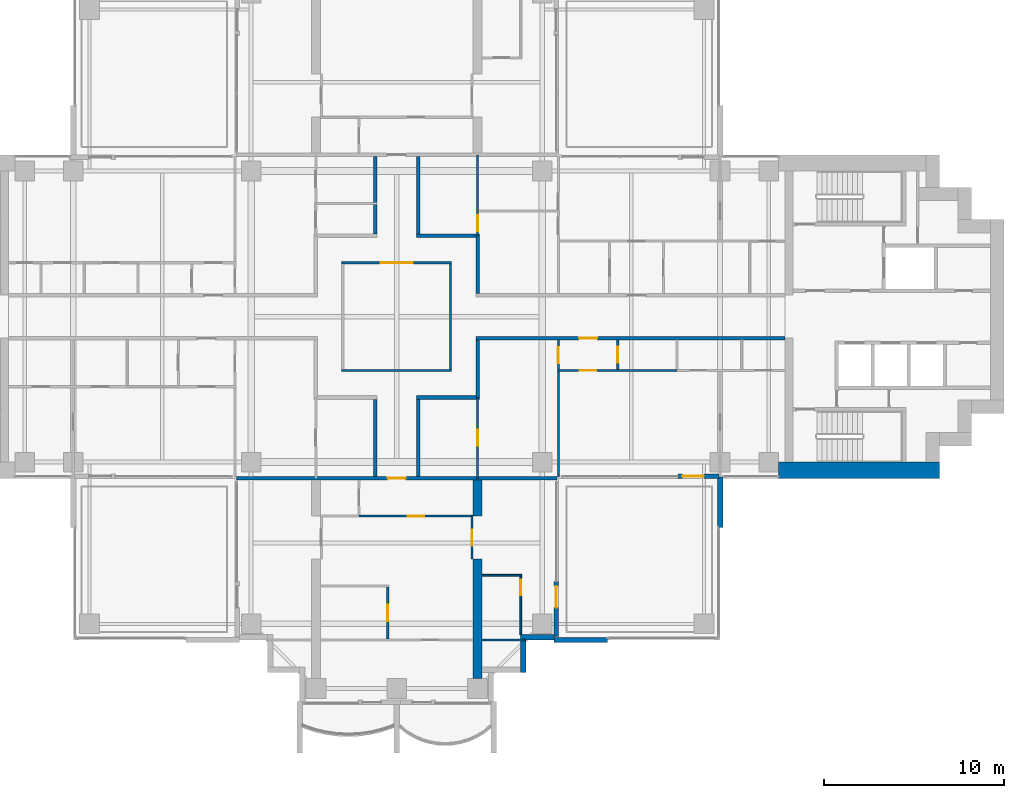
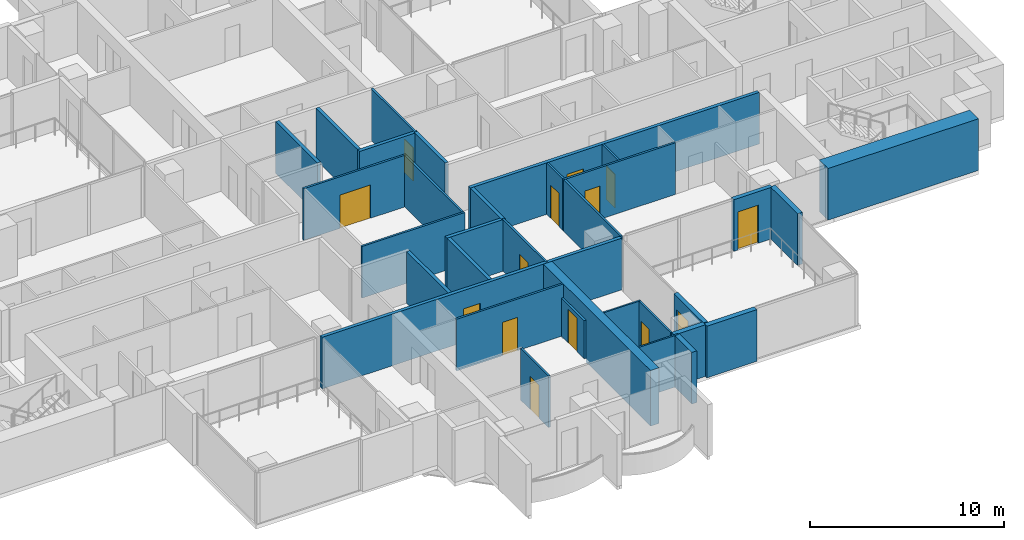
# One storey, part 11 of 18: 32 walls, 14 doors, 14 openings.
"""IFC4 building model written with IfcOpenShell, lengths in metres."""

from ifc_helpers import new_model, si_unit, direction, frame, frame_2d, origin, place, context, subcontext, project, spatial, polyline, rectangle, outline, extrude, material, layer, layer_set, material_profile, profile_set, type_object, element, fill, save


model = new_model("IFC4")

# Units and contexts
model_context = context("Model", 3, precision=1e-05, world=origin(), true_north=direction((0.0, 1.0)))
body_context = subcontext(model_context, "Body", "Model", "MODEL_VIEW")
ifc_project = project(units=[si_unit("LENGTHUNIT", "METRE"), si_unit("AREAUNIT", "SQUARE_METRE"), si_unit("VOLUMEUNIT", "CUBIC_METRE"), si_unit("PLANEANGLEUNIT", "RADIAN"), si_unit("MASSUNIT", "GRAM", prefix="KILO")], contexts=[model_context])

# Site, building, storey
site_placement = place(None, origin())
site = spatial("IfcSite", under=ifc_project, at=site_placement, CompositionType="ELEMENT")
building_placement = place(site_placement, origin())
building = spatial("IfcBuilding", under=site, at=building_placement, Name="Perihelion Cross Residences", CompositionType="ELEMENT")
storey_placement = place(building_placement, frame((0.0, 0.0, 130.39990234375)))
storey = spatial("IfcBuildingStorey", under=building, at=storey_placement, Name="L31", CompositionType="ELEMENT", Elevation=130.39990234375)

# Walls
ifc_material_1 = material(Name="Plasterboard partition")
ifc_layer_1 = layer(ifc_material_1, 0.199951171875)
ifc_layer_set_1 = layer_set([ifc_layer_1], Name="Apartment separation wall 200")
wall_type_1 = type_object("IfcWallType", Name="Apartment separation wall 200", PredefinedType="PARTITIONING", material=ifc_layer_set_1)
wall_1_placement = place(storey_placement, frame((4.5, 4.5, 0.0), z_axis=(0.0, 0.0, 1.0), x_axis=(0.0, -1.0, 0.0)))
element("IfcWall", 1, at=wall_1_placement, inside=storey, type_object=wall_type_1, Name="Partition L31 W006", PredefinedType="PARTITIONING", context=body_context, shape_type="SweptSolid", body=[
    extrude(rectangle(XDim=3.199951171875, YDim=0.199951171875, at=frame_2d((1.60009765625, 0.0))), origin(), (0.0, 0.0, 1.0), 3.25),
])
wall_2_placement = place(storey_placement, frame((1.199951171875, 8.89990234375, 0.0), z_axis=(0.0, 0.0, 1.0), x_axis=(0.0, -1.0, 0.0)))
element("IfcWall", 2, at=wall_2_placement, inside=storey, type_object=wall_type_1, Name="Partition L31 W007", PredefinedType="PARTITIONING", context=body_context, shape_type="SweptSolid", body=[
    extrude(rectangle(XDim=4.2998046875, YDim=0.199951171875, at=frame_2d((2.14990234375, 0.0))), origin(), (0.0, 0.0, 1.0), 3.25),
])
wall_3_placement = place(storey_placement, frame((1.10009765625, 4.5, 0.0), z_axis=(0.0, 0.0, 1.0), x_axis=(1.0, 0.0, 0.0)))
element("IfcWall", 3, at=wall_3_placement, inside=storey, type_object=wall_type_1, Name="Partition L31 W008", PredefinedType="PARTITIONING", context=body_context, shape_type="SweptSolid", body=[
    extrude(rectangle(XDim=3.5, YDim=0.199951171875, at=frame_2d((1.75, 0.0))), origin(), (0.0, 0.0, 1.0), 3.25),
])

# Wall, opening, door
wall_4_placement = place(storey_placement, frame((21.60009765625, -1.199951171875, 0.0), z_axis=(0.0, 0.0, 1.0), x_axis=(-1.0, 0.0, 0.0)))
wall_4 = element("IfcWall", 4, at=wall_4_placement, inside=storey, type_object=wall_type_1, Name="Partition L31 W009", PredefinedType="PARTITIONING", context=body_context, shape_type="SweptSolid", body=[
    extrude(rectangle(XDim=17.2001953125, YDim=0.199951171875, at=frame_2d((8.60009765625, 0.0))), origin(), (0.0, 0.0, 1.0), 3.25),
])
opening_1_placement = place(wall_4_placement, frame((10.449951171875, 0.0, 0.0)))
opening_1 = element("IfcOpeningElement", 5, at=opening_1_placement, cuts=wall_4, Name="Opening L31.A46", PredefinedType="OPENING", context=body_context, shape_type="SweptSolid", body=[
    extrude(rectangle(XDim=1.0, YDim=2.10009765625, at=frame_2d((0.5, 1.050048828125))), frame((0.0, 0.10986328125, 0.0), z_axis=(0.0, -1.0, 0.0), x_axis=(1.0, 0.0, 0.0)), (0.0, 0.0, 1.0), 0.219970703125),
])
ifc_material_2 = material(Name="Timber door leaf", Category="wood")
door_type_1 = type_object("IfcDoorType", Name="Flat entrance door 1000 x 2100", OperationType="SINGLE_SWING_LEFT", PredefinedType="DOOR", material=ifc_material_2)
door_1_placement = place(opening_1_placement, origin())
door_1 = element("IfcDoor", 6, at=door_1_placement, inside=storey, type_object=door_type_1, Name="Door L31.A46", OperationType="SINGLE_SWING_RIGHT", OverallHeight=2.10009765625, OverallWidth=1.0, PredefinedType="DOOR", context=body_context, shape_type="SweptSolid", body=[
    extrude(rectangle(XDim=1.0, YDim=2.10009765625, at=frame_2d((0.5, 1.050048828125))), frame((0.0, 0.02490234375, 0.0), z_axis=(0.0, -1.0, 0.0), x_axis=(1.0, 0.0, 0.0)), (0.0, 0.0, 1.0), 0.050048828125),
])
fill(opening_1, door_1)

# Walls
wall_5_placement = place(storey_placement, frame((4.5, -1.300048828125, 0.0), z_axis=(0.0, 0.0, 1.0), x_axis=(0.0, -1.0, 0.0)))
element("IfcWall", 7, at=wall_5_placement, inside=storey, type_object=wall_type_1, Name="Partition L31 W010", PredefinedType="PARTITIONING", context=body_context, shape_type="SweptSolid", body=[
    extrude(rectangle(XDim=3.199951171875, YDim=0.199951171875, at=frame_2d((1.60009765625, 0.0))), origin(), (0.0, 0.0, 1.0), 3.25),
])
wall_6_placement = place(storey_placement, frame((4.60009765625, -4.5, 0.0), z_axis=(0.0, 0.0, 1.0), x_axis=(-1.0, 0.0, 0.0)))
element("IfcWall", 8, at=wall_6_placement, inside=storey, type_object=wall_type_1, Name="Partition L31 W011", PredefinedType="PARTITIONING", context=body_context, shape_type="SweptSolid", body=[
    extrude(rectangle(XDim=3.5, YDim=0.199951171875, at=frame_2d((1.75, 0.0))), origin(), (0.0, 0.0, 1.0), 3.25),
])
for number, where, z_axis, x_axis, name in (
    (9, (1.199951171875, -4.60009765625, 0.0), (0.0, 0.0, 1.0), (0.0, -1.0, 0.0), "Partition L31 W012"),
    (10, (-1.199951171875, 4.60009765625, 0.0), (0.0, 0.0, 1.0), (0.0, 1.0, 0.0), "Partition L31 W016"),
    (11, (-1.199951171875, -8.89990234375, 0.0), (0.0, 0.0, 1.0), (0.0, 1.0, 0.0), "Partition L31 W019"),
):
    element("IfcWall", number, at=place(storey_placement, frame(where, z_axis=z_axis, x_axis=x_axis)), inside=storey, type_object=wall_type_1, Name=name, PredefinedType="PARTITIONING", context=body_context, shape_type="SweptSolid", body=[
        extrude(rectangle(XDim=4.2998046875, YDim=0.199951171875, at=frame_2d((2.14990234375, 0.0))), origin(), (0.0, 0.0, 1.0), 3.25),
    ])

# Wall, opening, door
wall_7_placement = place(storey_placement, frame((8.919921875, -9.0, 0.0), z_axis=(0.0, 0.0, 1.0), x_axis=(-1.0, 0.0, 0.0)))
wall_7 = element("IfcWall", 12, at=wall_7_placement, inside=storey, type_object=wall_type_1, Name="Partition L31 W022", PredefinedType="PARTITIONING", context=body_context, shape_type="SweptSolid", body=[
    extrude(rectangle(XDim=17.83984375, YDim=0.199951171875, at=frame_2d((8.919921875, 0.0))), origin(), (0.0, 0.0, 1.0), 3.25),
])
opening_2_placement = place(wall_7_placement, frame((8.419921875, 0.0, 0.0)))
opening_2 = element("IfcOpeningElement", 13, at=opening_2_placement, cuts=wall_7, Name="Opening L31.A39", PredefinedType="OPENING", context=body_context, shape_type="SweptSolid", body=[
    extrude(rectangle(XDim=1.0, YDim=2.10009765625, at=frame_2d((0.5, 1.050048828125))), frame((0.0, 0.10986328125, 0.0), z_axis=(0.0, -1.0, 0.0), x_axis=(1.0, 0.0, 0.0)), (0.0, 0.0, 1.0), 0.219970703125),
])
door_2_placement = place(opening_2_placement, origin())
door_2 = element("IfcDoor", 14, at=door_2_placement, inside=storey, type_object=door_type_1, Name="Door L31.A39", OperationType="SINGLE_SWING_LEFT", OverallHeight=2.10009765625, OverallWidth=1.0, PredefinedType="DOOR", context=body_context, shape_type="SweptSolid", body=[
    extrude(rectangle(XDim=1.0, YDim=2.10009765625, at=frame_2d((0.5, 1.050048828125))), frame((0.0, 0.02490234375, 0.0), z_axis=(0.0, -1.0, 0.0), x_axis=(1.0, 0.0, 0.0)), (0.0, 0.0, 1.0), 0.050048828125),
])
fill(opening_2, door_2)

ifc_material_3 = material(Name="Concrete C30/37, bronze-clad", Category="concrete")
ifc_layer_2 = layer(ifc_material_3, 0.25)
ifc_layer_set_2 = layer_set([ifc_layer_2], Name="Bronze-clad pier wall 250")
wall_type_2 = type_object("IfcWallType", Name="Bronze-clad pier wall 250", PredefinedType="SOLIDWALL", material=ifc_layer_set_2)
wall_8_placement = place(storey_placement, frame((8.875, -17.800048828125, 0.0), z_axis=(0.0, 0.0, 1.0), x_axis=(0.0, 1.0, 0.0)))
wall_8 = element("IfcWall", 15, at=wall_8_placement, inside=storey, type_object=wall_type_2, Name="Wall FW1 L31 south side east bay 1 pier", PredefinedType="SOLIDWALL", context=body_context, shape_type="SweptSolid", body=[
    extrude(rectangle(XDim=3.050048828125, YDim=0.25, at=frame_2d((1.52490234375, 0.0))), origin(), (0.0, 0.0, 1.0), 3.25),
])
opening_3_placement = place(wall_8_placement, frame((1.60009765625, 0.0, 0.0)))
opening_3 = element("IfcOpeningElement", 16, at=opening_3_placement, cuts=wall_8, Name="Opening L31.E13", PredefinedType="OPENING", context=body_context, shape_type="SweptSolid", body=[
    extrude(rectangle(XDim=1.199951171875, YDim=2.39990234375, at=frame_2d((0.60009765625, 1.199951171875))), frame((0.0, 0.135009765625, 0.0), z_axis=(0.0, -1.0, 0.0), x_axis=(1.0, 0.0, 0.0)), (0.0, 0.0, 1.0), 0.27001953125),
])
ifc_material_4 = material(Name="Bronze anodised aluminium, glazed", Category="aluminium")
door_type_2 = type_object("IfcDoorType", Name="Balcony door 1200 x 2400", OperationType="NOTDEFINED", PredefinedType="DOOR", material=ifc_material_4)
door_3_placement = place(opening_3_placement, origin())
door_3 = element("IfcDoor", 17, at=door_3_placement, inside=storey, type_object=door_type_2, Name="Door L31.E13 south side east bay 1", OperationType="SINGLE_SWING_RIGHT", OverallHeight=2.39990234375, OverallWidth=1.199951171875, PredefinedType="DOOR", context=body_context, shape_type="SweptSolid", body=[
    extrude(rectangle(XDim=1.199951171875, YDim=2.39990234375, at=frame_2d((0.60009765625, 1.199951171875))), frame((0.0, 0.02490234375, 0.0), z_axis=(0.0, -1.0, 0.0), x_axis=(1.0, 0.0, 0.0)), (0.0, 0.0, 1.0), 0.050048828125),
])
fill(opening_3, door_3)

wall_9_placement = place(storey_placement, frame((15.64990234375, -8.875, 0.0), z_axis=(0.0, 0.0, 1.0), x_axis=(1.0, 0.0, 0.0)))
wall_9 = element("IfcWall", 18, at=wall_9_placement, inside=storey, type_object=wall_type_2, Name="Wall FW1 L31 east side south bay 1 pier", PredefinedType="SOLIDWALL", context=body_context, shape_type="SweptSolid", body=[
    extrude(rectangle(XDim=2.2900390625, YDim=0.25, at=frame_2d((1.14501953125, 0.0))), origin(), (0.0, 0.0, 1.0), 3.25),
])
opening_4_placement = place(wall_9_placement, frame((0.25, 0.0, 0.0)))
opening_4 = element("IfcOpeningElement", 19, at=opening_4_placement, cuts=wall_9, Name="Opening L31.E14", PredefinedType="OPENING", context=body_context, shape_type="SweptSolid", body=[
    extrude(rectangle(XDim=1.199951171875, YDim=2.39990234375, at=frame_2d((0.60009765625, 1.199951171875))), frame((0.0, 0.135009765625, 0.0), z_axis=(0.0, -1.0, 0.0), x_axis=(1.0, 0.0, 0.0)), (0.0, 0.0, 1.0), 0.27001953125),
])
door_4_placement = place(opening_4_placement, origin())
door_4 = element("IfcDoor", 20, at=door_4_placement, inside=storey, type_object=door_type_2, Name="Door L31.E14 east side south bay 1", OperationType="SINGLE_SWING_LEFT", OverallHeight=2.39990234375, OverallWidth=1.199951171875, PredefinedType="DOOR", context=body_context, shape_type="SweptSolid", body=[
    extrude(rectangle(XDim=1.199951171875, YDim=2.39990234375, at=frame_2d((0.60009765625, 1.199951171875))), frame((0.0, 0.02490234375, 0.0), z_axis=(0.0, -1.0, 0.0), x_axis=(1.0, 0.0, 0.0)), (0.0, 0.0, 1.0), 0.050048828125),
])
fill(opening_4, door_4)

# Walls
ifc_material_5 = material(Name="Concrete C30/37, bronze-clad", Category="concrete")
ifc_layer_3 = layer(ifc_material_5, 0.300048828125)
ifc_layer_set_3 = layer_set([ifc_layer_3], Name="Bronze-clad serration wall 300")
wall_type_3 = type_object("IfcWallType", Name="Bronze-clad serration wall 300", PredefinedType="SOLIDWALL", material=ifc_layer_set_3)
wall_10_placement = place(storey_placement, frame((7.050048828125, -19.800048828125, 0.0), z_axis=(0.0, 0.0, 1.0), x_axis=(0.0, 1.0, 0.0)))
element("IfcWall", 21, at=wall_10_placement, inside=storey, type_object=wall_type_3, Name="Wall SR1 L31 south corner south-east 3", PredefinedType="SOLIDWALL", context=body_context, shape_type="SweptSolid", body=[
    extrude(rectangle(XDim=1.800048828125, YDim=0.300048828125, at=frame_2d((0.89990234375, 0.0))), origin(), (0.0, 0.0, 1.0), 3.25),
])
wall_11_placement = place(storey_placement, frame((6.89990234375, -17.85009765625, 0.0), z_axis=(0.0, 0.0, 1.0), x_axis=(1.0, 0.0, 0.0)))
element("IfcWall", 22, at=wall_11_placement, inside=storey, type_object=wall_type_3, Name="Wall SR1 L31 south corner south-east 4", PredefinedType="SOLIDWALL", context=body_context, shape_type="SweptSolid", body=[
    extrude(rectangle(XDim=1.85009765625, YDim=0.300048828125, at=frame_2d((0.925048828125, 0.0))), origin(), (0.0, 0.0, 1.0), 3.25),
])
ifc_material_6 = material(Name="Concrete C60/75", Category="concrete")
ifc_layer_4 = layer(ifc_material_6, 0.89990234375)
ifc_layer_set_4 = layer_set([ifc_layer_4], Name="Core wall, outer 900")
wall_type_4 = type_object("IfcWallType", Name="Core wall, outer 900", PredefinedType="SHEAR", material=ifc_layer_set_4)
wall_12_placement = place(storey_placement, frame((21.25, -8.550048828125, 0.0), z_axis=(0.0, 0.0, 1.0), x_axis=(1.0, 0.0, 0.0)))
element("IfcWall", 23, at=wall_12_placement, inside=storey, type_object=wall_type_4, Name="East core core wall, outer", PredefinedType="SHEAR", context=body_context, shape_type="SweptSolid", body=[
    extrude(rectangle(XDim=8.949951171875, YDim=0.89990234375, at=frame_2d((4.47509765625, 0.0))), origin(), (0.0, 0.0, 1.0), 3.25),
])

# Wall, opening, door
ifc_material_7 = material(Name="Plasterboard partition")
ifc_layer_5 = layer(ifc_material_7, 0.1201171875)
ifc_layer_set_5 = layer_set([ifc_layer_5], Name="Infill panel 120")
wall_type_5 = type_object("IfcWallType", Name="Infill panel 120", PredefinedType="PARTITIONING", material=ifc_layer_set_5)
wall_13_placement = place(storey_placement, frame((4.18994140625, -11.10009765625, 0.0), z_axis=(0.0, 0.0, 1.0), x_axis=(0.0, -1.0, 0.0)))
wall_13 = element("IfcWall", 24, at=wall_13_placement, inside=storey, type_object=wall_type_5, Name="Partition L31 WI05", PredefinedType="PARTITIONING", context=body_context, shape_type="SweptSolid", body=[
    extrude(rectangle(XDim=2.39990234375, YDim=0.1201171875, at=frame_2d((1.199951171875, 0.0))), origin(), (0.0, 0.0, 1.0), 2.400146484375),
])
opening_5_placement = place(wall_13_placement, frame((0.75, 0.0, 0.0)))
opening_5 = element("IfcOpeningElement", 25, at=opening_5_placement, cuts=wall_13, Name="Opening L31.A53", PredefinedType="OPENING", context=body_context, shape_type="SweptSolid", body=[
    extrude(rectangle(XDim=0.89990234375, YDim=2.10009765625, at=frame_2d((0.449951171875, 1.050048828125))), frame((0.0, 0.070068359375, 0.0), z_axis=(0.0, -1.0, 0.0), x_axis=(1.0, 0.0, 0.0)), (0.0, 0.0, 1.0), 0.14013671875),
])
ifc_material_8 = material(Name="Timber door leaf", Category="wood")
door_type_3 = type_object("IfcDoorType", Name="Interior room door 900 x 2100", OperationType="SINGLE_SWING_LEFT", PredefinedType="DOOR", material=ifc_material_8)
door_5_placement = place(opening_5_placement, origin())
door_5 = element("IfcDoor", 26, at=door_5_placement, inside=storey, type_object=door_type_3, Name="Door L31.A53", OperationType="SINGLE_SWING_RIGHT", OverallHeight=2.10009765625, OverallWidth=0.89990234375, PredefinedType="DOOR", context=body_context, shape_type="SweptSolid", body=[
    extrude(rectangle(XDim=0.89990234375, YDim=2.10009765625, at=frame_2d((0.449951171875, 1.050048828125))), frame((0.0, 0.02490234375, 0.0), z_axis=(0.0, -1.0, 0.0), x_axis=(1.0, 0.0, 0.0)), (0.0, 0.0, 1.0), 0.050048828125),
])
fill(opening_5, door_5)

# Walls
ifc_material_9 = material(Name="Plasterboard partition")
ifc_layer_6 = layer(ifc_material_9, 0.1201171875)
ifc_layer_set_6 = layer_set([ifc_layer_6], Name="Partition wall 120")
wall_type_6 = type_object("IfcWallType", Name="Partition wall 120", PredefinedType="PARTITIONING", material=ifc_layer_set_6)
wall_14_placement = place(storey_placement, frame((-3.06005859375, -3.0, 0.0), z_axis=(0.0, 0.0, 1.0), x_axis=(1.0, 0.0, 0.0)))
element("IfcWall", 27, at=wall_14_placement, inside=storey, type_object=wall_type_6, Name="Partition L31 W001", PredefinedType="PARTITIONING", context=body_context, shape_type="SweptSolid", body=[
    extrude(rectangle(XDim=6.1201171875, YDim=0.1201171875, at=frame_2d((3.06005859375, 0.0))), origin(), (0.0, 0.0, 1.0), 3.25),
])
wall_15_placement = place(storey_placement, frame((3.0, -2.93994140625, 0.0), z_axis=(0.0, 0.0, 1.0), x_axis=(0.0, 1.0, 0.0)))
element("IfcWall", 28, at=wall_15_placement, inside=storey, type_object=wall_type_6, Name="Partition L31 W002", PredefinedType="PARTITIONING", context=body_context, shape_type="SweptSolid", body=[
    extrude(rectangle(XDim=5.8798828125, YDim=0.1201171875, at=frame_2d((2.93994140625, 0.0))), origin(), (0.0, 0.0, 1.0), 3.25),
])

# Wall, opening, door
wall_16_placement = place(storey_placement, frame((3.06005859375, 3.0, 0.0), z_axis=(0.0, 0.0, 1.0), x_axis=(-1.0, 0.0, 0.0)))
wall_16 = element("IfcWall", 29, at=wall_16_placement, inside=storey, type_object=wall_type_6, Name="Partition L31 W003", PredefinedType="PARTITIONING", context=body_context, shape_type="SweptSolid", body=[
    extrude(rectangle(XDim=6.1201171875, YDim=0.1201171875, at=frame_2d((3.06005859375, 0.0))), origin(), (0.0, 0.0, 1.0), 3.25),
])
opening_6_placement = place(wall_16_placement, frame((2.159912109375, 0.0, 0.0)))
opening_6 = element("IfcOpeningElement", 30, at=opening_6_placement, cuts=wall_16, Name="Opening L31.A01", PredefinedType="OPENING", context=body_context, shape_type="SweptSolid", body=[
    extrude(rectangle(XDim=1.800048828125, YDim=2.10009765625, at=frame_2d((0.89990234375, 1.050048828125))), frame((0.0, 0.070068359375, 0.0), z_axis=(0.0, -1.0, 0.0), x_axis=(1.0, 0.0, 0.0)), (0.0, 0.0, 1.0), 0.14013671875),
])
ifc_material_10 = material(Name="Glazed timber door leaf", Category="wood")
door_type_4 = type_object("IfcDoorType", Name="Interior double leaf door 1800 x 2100", OperationType="DOUBLE_DOOR_SINGLE_SWING", PredefinedType="DOOR", material=ifc_material_10)
door_6_placement = place(opening_6_placement, origin())
door_6 = element("IfcDoor", 31, at=door_6_placement, inside=storey, type_object=door_type_4, Name="Door L31.A01", OperationType="SINGLE_SWING_LEFT", OverallHeight=2.10009765625, OverallWidth=1.800048828125, PredefinedType="DOOR", context=body_context, shape_type="SweptSolid", body=[
    extrude(rectangle(XDim=1.800048828125, YDim=2.10009765625, at=frame_2d((0.89990234375, 1.050048828125))), frame((0.0, 0.02490234375, 0.0), z_axis=(0.0, -1.0, 0.0), x_axis=(1.0, 0.0, 0.0)), (0.0, 0.0, 1.0), 0.050048828125),
])
fill(opening_6, door_6)

wall_17_placement = place(storey_placement, frame((4.5, 4.5, 0.0), z_axis=(0.0, 0.0, 1.0), x_axis=(0.0, 1.0, 0.0)))
wall_17 = element("IfcWall", 32, at=wall_17_placement, inside=storey, type_object=wall_type_6, Name="Partition L31 W031", PredefinedType="PARTITIONING", context=body_context, shape_type="SweptSolid", body=[
    extrude(rectangle(XDim=4.5, YDim=0.1201171875, at=frame_2d((2.25, 0.0))), origin(), (0.0, 0.0, 1.0), 3.25),
])
opening_7_placement = place(wall_17_placement, frame((0.239990234375, 0.0, 0.0)))
opening_7 = element("IfcOpeningElement", 33, at=opening_7_placement, cuts=wall_17, Name="Opening L31.A03", PredefinedType="OPENING", context=body_context, shape_type="SweptSolid", body=[
    extrude(rectangle(XDim=0.89990234375, YDim=2.10009765625, at=frame_2d((0.449951171875, 1.050048828125))), frame((0.0, 0.070068359375, 0.0), z_axis=(0.0, -1.0, 0.0), x_axis=(1.0, 0.0, 0.0)), (0.0, 0.0, 1.0), 0.14013671875),
])
door_7_placement = place(opening_7_placement, origin())
door_7 = element("IfcDoor", 34, at=door_7_placement, inside=storey, type_object=door_type_3, Name="Door L31.A03", OperationType="SINGLE_SWING_LEFT", OverallHeight=2.10009765625, OverallWidth=0.89990234375, PredefinedType="DOOR", context=body_context, shape_type="SweptSolid", body=[
    extrude(rectangle(XDim=0.89990234375, YDim=2.10009765625, at=frame_2d((0.449951171875, 1.050048828125))), frame((0.0, 0.02490234375, 0.0), z_axis=(0.0, -1.0, 0.0), x_axis=(1.0, 0.0, 0.0)), (0.0, 0.0, 1.0), 0.050048828125),
])
fill(opening_7, door_7)

wall_18_placement = place(storey_placement, frame((12.300048828125, -1.300048828125, 0.0), z_axis=(0.0, 0.0, 1.0), x_axis=(0.0, -1.0, 0.0)))
wall_18 = element("IfcWall", 35, at=wall_18_placement, inside=storey, type_object=wall_type_6, Name="Partition L31 W032", PredefinedType="PARTITIONING", context=body_context, shape_type="SweptSolid", body=[
    extrude(rectangle(XDim=1.639892578125, YDim=0.1201171875, at=frame_2d((0.81982421875, 0.0))), origin(), (0.0, 0.0, 1.0), 3.25),
])
opening_8_placement = place(wall_18_placement, frame((0.3701171875, 0.0, 0.0)))
opening_8 = element("IfcOpeningElement", 36, at=opening_8_placement, cuts=wall_18, Name="Opening L31.A12", PredefinedType="OPENING", context=body_context, shape_type="SweptSolid", body=[
    extrude(rectangle(XDim=0.89990234375, YDim=2.10009765625, at=frame_2d((0.449951171875, 1.050048828125))), frame((0.0, 0.070068359375, 0.0), z_axis=(0.0, -1.0, 0.0), x_axis=(1.0, 0.0, 0.0)), (0.0, 0.0, 1.0), 0.14013671875),
])
door_8_placement = place(opening_8_placement, origin())
door_8 = element("IfcDoor", 37, at=door_8_placement, inside=storey, type_object=door_type_3, Name="Door L31.A12", OperationType="SINGLE_SWING_RIGHT", OverallHeight=2.10009765625, OverallWidth=0.89990234375, PredefinedType="DOOR", context=body_context, shape_type="SweptSolid", body=[
    extrude(rectangle(XDim=0.89990234375, YDim=2.10009765625, at=frame_2d((0.449951171875, 1.050048828125))), frame((0.0, 0.02490234375, 0.0), z_axis=(0.0, -1.0, 0.0), x_axis=(1.0, 0.0, 0.0)), (0.0, 0.0, 1.0), 0.050048828125),
])
fill(opening_8, door_8)

wall_19_placement = place(storey_placement, frame((15.60009765625, -3.0, 0.0), z_axis=(0.0, 0.0, 1.0), x_axis=(-1.0, 0.0, 0.0)))
wall_19 = element("IfcWall", 38, at=wall_19_placement, inside=storey, type_object=wall_type_6, Name="Partition L31 W033", PredefinedType="PARTITIONING", context=body_context, shape_type="SweptSolid", body=[
    extrude(rectangle(XDim=6.66015625, YDim=0.1201171875, at=frame_2d((3.330078125, 0.0))), origin(), (0.0, 0.0, 1.0), 3.25),
])
opening_9_placement = place(wall_19_placement, frame((4.5, 0.0, 0.0)))
opening_9 = element("IfcOpeningElement", 39, at=opening_9_placement, cuts=wall_19, Name="Opening L31.A13", PredefinedType="OPENING", context=body_context, shape_type="SweptSolid", body=[
    extrude(rectangle(XDim=0.89990234375, YDim=2.10009765625, at=frame_2d((0.449951171875, 1.050048828125))), frame((0.0, 0.070068359375, 0.0), z_axis=(0.0, -1.0, 0.0), x_axis=(1.0, 0.0, 0.0)), (0.0, 0.0, 1.0), 0.14013671875),
])
door_9_placement = place(opening_9_placement, origin())
door_9 = element("IfcDoor", 40, at=door_9_placement, inside=storey, type_object=door_type_3, Name="Door L31.A13", OperationType="SINGLE_SWING_RIGHT", OverallHeight=2.10009765625, OverallWidth=0.89990234375, PredefinedType="DOOR", context=body_context, shape_type="SweptSolid", body=[
    extrude(rectangle(XDim=0.89990234375, YDim=2.10009765625, at=frame_2d((0.449951171875, 1.050048828125))), frame((0.0, 0.02490234375, 0.0), z_axis=(0.0, -1.0, 0.0), x_axis=(1.0, 0.0, 0.0)), (0.0, 0.0, 1.0), 0.050048828125),
])
fill(opening_9, door_9)

wall_20_placement = place(storey_placement, frame((9.0, -8.919921875, 0.0), z_axis=(0.0, 0.0, 1.0), x_axis=(0.0, 1.0, 0.0)))
wall_20 = element("IfcWall", 41, at=wall_20_placement, inside=storey, type_object=wall_type_6, Name="Partition L31 W034", PredefinedType="PARTITIONING", context=body_context, shape_type="SweptSolid", body=[
    extrude(rectangle(XDim=7.619873046875, YDim=0.1201171875, at=frame_2d((3.81005859375, 0.0))), origin(), (0.0, 0.0, 1.0), 3.25),
])
opening_10_placement = place(wall_20_placement, frame((6.320068359375, 0.0, 0.0)))
opening_10 = element("IfcOpeningElement", 42, at=opening_10_placement, cuts=wall_20, Name="Opening L31.A16", PredefinedType="OPENING", context=body_context, shape_type="SweptSolid", body=[
    extrude(rectangle(XDim=0.89990234375, YDim=2.10009765625, at=frame_2d((0.449951171875, 1.050048828125))), frame((0.0, 0.070068359375, 0.0), z_axis=(0.0, -1.0, 0.0), x_axis=(1.0, 0.0, 0.0)), (0.0, 0.0, 1.0), 0.14013671875),
])
door_10_placement = place(opening_10_placement, origin())
door_10 = element("IfcDoor", 43, at=door_10_placement, inside=storey, type_object=door_type_3, Name="Door L31.A16", OperationType="SINGLE_SWING_RIGHT", OverallHeight=2.10009765625, OverallWidth=0.89990234375, PredefinedType="DOOR", context=body_context, shape_type="SweptSolid", body=[
    extrude(rectangle(XDim=0.89990234375, YDim=2.10009765625, at=frame_2d((0.449951171875, 1.050048828125))), frame((0.0, 0.02490234375, 0.0), z_axis=(0.0, -1.0, 0.0), x_axis=(1.0, 0.0, 0.0)), (0.0, 0.0, 1.0), 0.050048828125),
])
fill(opening_10, door_10)

wall_21_placement = place(storey_placement, frame((4.5, -9.0, 0.0), z_axis=(0.0, 0.0, 1.0), x_axis=(0.0, 1.0, 0.0)))
wall_21 = element("IfcWall", 44, at=wall_21_placement, inside=storey, type_object=wall_type_6, Name="Partition L31 W040", PredefinedType="PARTITIONING", context=body_context, shape_type="SweptSolid", body=[
    extrude(rectangle(XDim=4.5, YDim=0.1201171875, at=frame_2d((2.25, 0.0))), origin(), (0.0, 0.0, 1.0), 3.25),
])
opening_11_placement = place(wall_21_placement, frame((1.800048828125, 0.0, 0.0)))
opening_11 = element("IfcOpeningElement", 45, at=opening_11_placement, cuts=wall_21, Name="Opening L31.A11", PredefinedType="OPENING", context=body_context, shape_type="SweptSolid", body=[
    extrude(rectangle(XDim=0.89990234375, YDim=2.10009765625, at=frame_2d((0.449951171875, 1.050048828125))), frame((0.0, 0.070068359375, 0.0), z_axis=(0.0, -1.0, 0.0), x_axis=(1.0, 0.0, 0.0)), (0.0, 0.0, 1.0), 0.14013671875),
])
door_11_placement = place(opening_11_placement, origin())
door_11 = element("IfcDoor", 46, at=door_11_placement, inside=storey, type_object=door_type_3, Name="Door L31.A11", OperationType="SINGLE_SWING_RIGHT", OverallHeight=2.10009765625, OverallWidth=0.89990234375, PredefinedType="DOOR", context=body_context, shape_type="SweptSolid", body=[
    extrude(rectangle(XDim=0.89990234375, YDim=2.10009765625, at=frame_2d((0.449951171875, 1.050048828125))), frame((0.0, 0.02490234375, 0.0), z_axis=(0.0, -1.0, 0.0), x_axis=(1.0, 0.0, 0.0)), (0.0, 0.0, 1.0), 0.050048828125),
])
fill(opening_11, door_11)

wall_22_placement = place(storey_placement, frame((4.25, -11.10009765625, 0.0), z_axis=(0.0, 0.0, 1.0), x_axis=(-1.0, 0.0, 0.0)))
wall_22 = element("IfcWall", 47, at=wall_22_placement, inside=storey, type_object=wall_type_6, Name="Partition L31 W075", PredefinedType="PARTITIONING", context=body_context, shape_type="SweptSolid", body=[
    extrude(rectangle(XDim=6.35009765625, YDim=0.1201171875, at=frame_2d((3.175048828125, 0.0))), origin(), (0.0, 0.0, 1.0), 3.25),
])
opening_12_placement = place(wall_22_placement, frame((2.72509765625, 0.0, 0.0)))
opening_12 = element("IfcOpeningElement", 48, at=opening_12_placement, cuts=wall_22, Name="Opening L31.A41", PredefinedType="OPENING", context=body_context, shape_type="SweptSolid", body=[
    extrude(rectangle(XDim=0.89990234375, YDim=2.10009765625, at=frame_2d((0.449951171875, 1.050048828125))), frame((0.0, 0.070068359375, 0.0), z_axis=(0.0, -1.0, 0.0), x_axis=(1.0, 0.0, 0.0)), (0.0, 0.0, 1.0), 0.14013671875),
])
door_12_placement = place(opening_12_placement, origin())
door_12 = element("IfcDoor", 49, at=door_12_placement, inside=storey, type_object=door_type_3, Name="Door L31.A41", OperationType="SINGLE_SWING_RIGHT", OverallHeight=2.10009765625, OverallWidth=0.89990234375, PredefinedType="DOOR", context=body_context, shape_type="SweptSolid", body=[
    extrude(rectangle(XDim=0.89990234375, YDim=2.10009765625, at=frame_2d((0.449951171875, 1.050048828125))), frame((0.0, 0.02490234375, 0.0), z_axis=(0.0, -1.0, 0.0), x_axis=(1.0, 0.0, 0.0)), (0.0, 0.0, 1.0), 0.050048828125),
])
fill(opening_12, door_12)

wall_23_placement = place(storey_placement, frame((-0.5, -17.93994140625, 0.0), z_axis=(0.0, 0.0, 1.0), x_axis=(0.0, 1.0, 0.0)))
wall_23 = element("IfcWall", 50, at=wall_23_placement, inside=storey, type_object=wall_type_6, Name="Partition L31 W077", PredefinedType="PARTITIONING", context=body_context, shape_type="SweptSolid", body=[
    extrude(rectangle(XDim=2.8798828125, YDim=0.1201171875, at=frame_2d((1.43994140625, 0.0))), origin(), (0.0, 0.0, 1.0), 3.25),
])
opening_13_placement = place(wall_23_placement, frame((0.989990234375, 0.0, 0.0)))
opening_13 = element("IfcOpeningElement", 51, at=opening_13_placement, cuts=wall_23, Name="Opening L31.A42", PredefinedType="OPENING", context=body_context, shape_type="SweptSolid", body=[
    extrude(rectangle(XDim=0.89990234375, YDim=2.10009765625, at=frame_2d((0.449951171875, 1.050048828125))), frame((0.0, 0.070068359375, 0.0), z_axis=(0.0, -1.0, 0.0), x_axis=(1.0, 0.0, 0.0)), (0.0, 0.0, 1.0), 0.14013671875),
])
door_13_placement = place(opening_13_placement, origin())
door_13 = element("IfcDoor", 52, at=door_13_placement, inside=storey, type_object=door_type_3, Name="Door L31.A42", OperationType="SINGLE_SWING_RIGHT", OverallHeight=2.10009765625, OverallWidth=0.89990234375, PredefinedType="DOOR", context=body_context, shape_type="SweptSolid", body=[
    extrude(rectangle(XDim=0.89990234375, YDim=2.10009765625, at=frame_2d((0.449951171875, 1.050048828125))), frame((0.0, 0.02490234375, 0.0), z_axis=(0.0, -1.0, 0.0), x_axis=(1.0, 0.0, 0.0)), (0.0, 0.0, 1.0), 0.050048828125),
])
fill(opening_13, door_13)

# Walls
ifc_material_11 = material(Name="Precast concrete C50/60", Category="concrete")
ifc_layer_7 = layer(ifc_material_11, 0.300048828125)
ifc_layer_set_7 = layer_set([ifc_layer_7], Name="Precast concrete C50/60 blade wall 300")
wall_type_7 = type_object("IfcWallType", Name="Precast concrete C50/60 blade wall 300", PredefinedType="SOLIDWALL", material=ifc_layer_set_7)
wall_24_placement = place(storey_placement, frame((8.75, -18.0, 0.0), z_axis=(0.0, 0.0, 1.0), x_axis=(1.0, 0.0, 0.0)))
element("IfcWall", 53, at=wall_24_placement, inside=storey, type_object=wall_type_7, Name="Wall BL1 L31 no. 14", PredefinedType="SOLIDWALL", context=body_context, shape_type="SweptSolid", body=[
    extrude(rectangle(XDim=2.989990234375, YDim=0.300048828125, at=frame_2d((1.4951171875, 0.0))), origin(), (0.0, 0.0, 1.0), 3.25),
])
wall_25_placement = place(storey_placement, frame((18.0, -8.919921875, 0.0), z_axis=(0.0, 0.0, 1.0), x_axis=(0.0, -1.0, 0.0)))
element("IfcWall", 54, at=wall_25_placement, inside=storey, type_object=wall_type_7, Name="Wall BL1 L31 no. 10", PredefinedType="SOLIDWALL", context=body_context, shape_type="SweptSolid", body=[
    extrude(rectangle(XDim=2.820068359375, YDim=0.300048828125, at=frame_2d((1.41015625, 0.0))), origin(), (0.0, 0.0, 1.0), 3.25),
])
ifc_material_12 = material(Name="Concrete C60/75", Category="concrete")
ifc_material_profile = material_profile(ifc_material_12, outline(polyline([(0.0, 0.0), (6.64990234375, 0.0), (6.64990234375, 2.64990234375), (9.050048828125, 2.64990234375), (9.050048828125, 0.0), (11.14990234375, 0.0), (11.14990234375, 3.5), (0.0, 3.5), (0.0, 0.0)])), Name="Tip spine wall")
ifc_profile_set = profile_set([ifc_material_profile], Name="Concrete C60/75")
wall_type_8 = type_object("IfcWallType", Name="Tip spine wall 500 with 1 door openings 11150 long 3500 high concrete C60/75", PredefinedType="SHEAR", material=ifc_profile_set)
wall_26_placement = place(storey_placement, frame((4.25, -20.14990234375, -0.25), z_axis=(1.0, 0.0, 0.0), x_axis=(0.0, 1.0, 0.0)))
element("IfcWall", 55, at=wall_26_placement, inside=storey, type_object=wall_type_8, Name="Shear wall SW33 L31 south east", PredefinedType="SHEAR", context=body_context, shape_type="SweptSolid", body=[
    extrude(outline(polyline([(0.0, 0.0), (6.64990234375, 0.0), (6.64990234375, 2.64990234375), (9.050048828125, 2.64990234375), (9.050048828125, 0.0), (11.14990234375, 0.0), (11.14990234375, 3.5), (0.0, 3.5), (0.0, 0.0)])), origin(), (0.0, 0.0, 1.0), 0.5),
])

# Wall, opening, door
ifc_material_13 = material(Name="Plasterboard partition")
ifc_layer_8 = layer(ifc_material_13, 0.10009765625)
ifc_layer_set_8 = layer_set([ifc_layer_8], Name="Wet room wall 100")
wall_type_9 = type_object("IfcWallType", Name="Wet room wall 100", PredefinedType="PARTITIONING", material=ifc_layer_set_8)
wall_27_placement = place(storey_placement, frame((6.89990234375, -17.699951171875, 0.0), z_axis=(0.0, 0.0, 1.0), x_axis=(0.0, 1.0, 0.0)))
wall_27 = element("IfcWall", 56, at=wall_27_placement, inside=storey, type_object=wall_type_9, Name="Partition L31 W080", PredefinedType="PARTITIONING", context=body_context, shape_type="SweptSolid", body=[
    extrude(rectangle(XDim=3.25, YDim=0.10009765625, at=frame_2d((1.625, 0.0))), origin(), (0.0, 0.0, 1.0), 3.25),
])
opening_14_placement = place(wall_27_placement, frame((2.199951171875, 0.0, 0.0)))
opening_14 = element("IfcOpeningElement", 57, at=opening_14_placement, cuts=wall_27, Name="Opening L31.A44", PredefinedType="OPENING", context=body_context, shape_type="SweptSolid", body=[
    extrude(rectangle(XDim=0.85009765625, YDim=2.10009765625, at=frame_2d((0.425048828125, 1.050048828125))), frame((0.0, 0.06005859375, 0.0), z_axis=(0.0, -1.0, 0.0), x_axis=(1.0, 0.0, 0.0)), (0.0, 0.0, 1.0), 0.1201171875),
])
ifc_material_14 = material(Name="Timber door leaf", Category="wood")
door_type_5 = type_object("IfcDoorType", Name="Interior bathroom door 850 x 2100", OperationType="SINGLE_SWING_LEFT", PredefinedType="DOOR", material=ifc_material_14)
door_14_placement = place(opening_14_placement, origin())
door_14 = element("IfcDoor", 58, at=door_14_placement, inside=storey, type_object=door_type_5, Name="Door L31.A44", OperationType="SINGLE_SWING_LEFT", OverallHeight=2.10009765625, OverallWidth=0.85009765625, PredefinedType="DOOR", context=body_context, shape_type="SweptSolid", body=[
    extrude(rectangle(XDim=0.85009765625, YDim=2.10009765625, at=frame_2d((0.425048828125, 1.050048828125))), frame((0.0, 0.02490234375, 0.0), z_axis=(0.0, -1.0, 0.0), x_axis=(1.0, 0.0, 0.0)), (0.0, 0.0, 1.0), 0.050048828125),
])
fill(opening_14, door_14)

# Walls
wall_28_placement = place(storey_placement, frame((6.949951171875, -14.39990234375, 0.0), z_axis=(0.0, 0.0, 1.0), x_axis=(-1.0, 0.0, 0.0)))
element("IfcWall", 59, at=wall_28_placement, inside=storey, type_object=wall_type_9, Name="Partition L31 W081", PredefinedType="PARTITIONING", context=body_context, shape_type="SweptSolid", body=[
    extrude(rectangle(XDim=2.199951171875, YDim=0.10009765625, at=frame_2d((1.10009765625, 0.0))), origin(), (0.0, 0.0, 1.0), 3.25),
])
wall_29_placement = place(storey_placement, frame((7.1201171875, -18.0, 0.0), z_axis=(0.0, 0.0, 1.0), x_axis=(-1.0, 0.0, 0.0)))
element("IfcWall", 60, at=wall_29_placement, inside=storey, type_object=wall_type_9, Name="Partition L31 W082", PredefinedType="PARTITIONING", context=body_context, shape_type="SweptSolid", body=[
    extrude(rectangle(XDim=2.3701171875, YDim=0.10009765625, at=frame_2d((1.18505859375, 0.0))), origin(), (0.0, 0.0, 1.0), 3.25),
])

save(model, "model.ifc")
